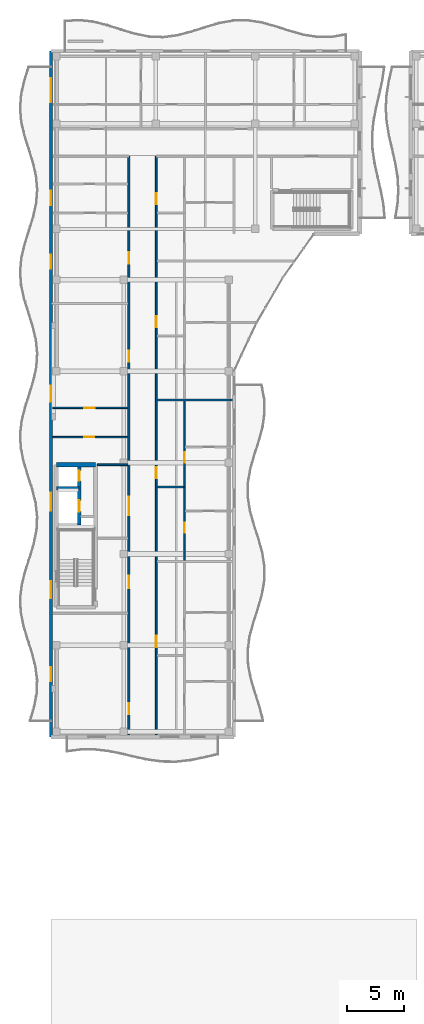
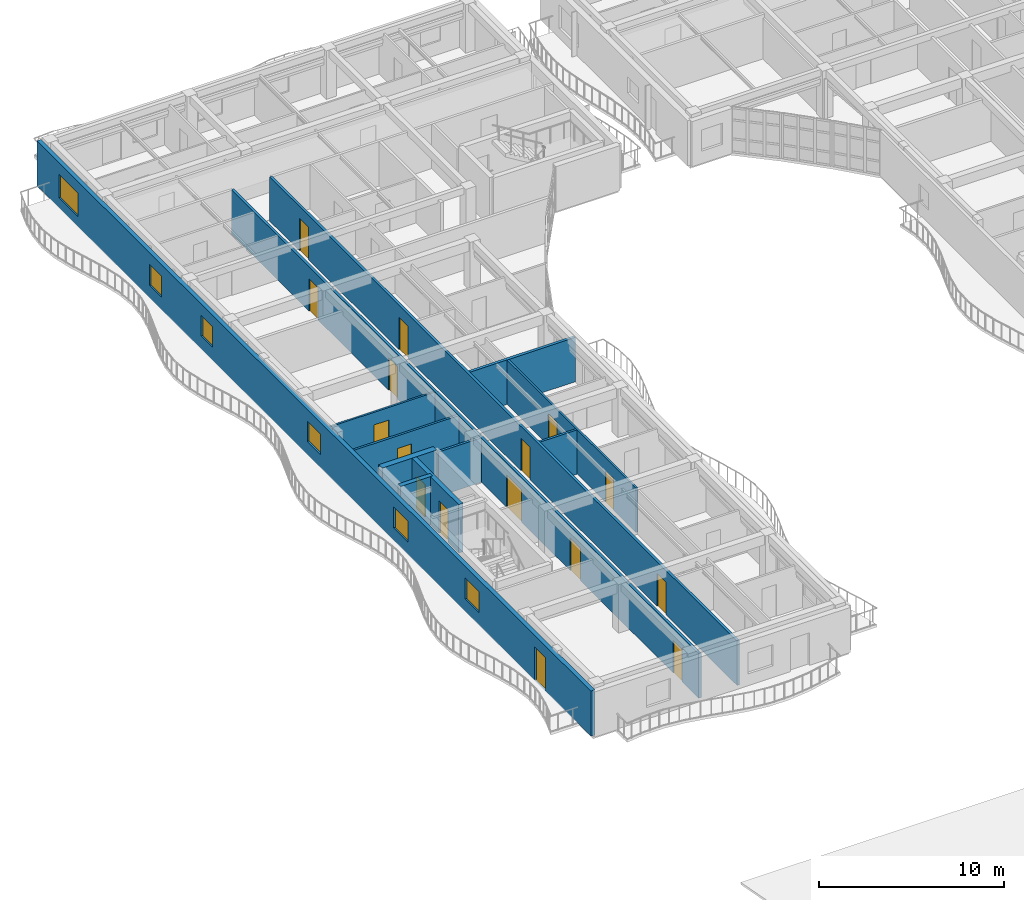
# One storey, part 49 of 89: 16 doors, 12 walls, 6 windows, 22 openings.
"""IFC4 building model written with IfcOpenShell, lengths in metres."""

from ifc_helpers import new_model, si_unit, direction, frame, frame_2d, origin, place, context, subcontext, project, spatial, rectangle, extrude, material, layer, layer_set, type_object, element, fill, save


model = new_model("IFC4")

# Units and contexts
model_context = context("Model", 3, precision=1e-05, world=origin(), true_north=direction((0.0, 1.0)))
body_context = subcontext(model_context, "Body", "Model", "MODEL_VIEW")
ifc_project = project(units=[si_unit("LENGTHUNIT", "METRE"), si_unit("AREAUNIT", "SQUARE_METRE"), si_unit("VOLUMEUNIT", "CUBIC_METRE"), si_unit("PLANEANGLEUNIT", "RADIAN"), si_unit("MASSUNIT", "GRAM", prefix="KILO")], contexts=[model_context])

# Site, building, storey
site_placement = place(None, origin())
site = spatial("IfcSite", under=ifc_project, at=site_placement, CompositionType="ELEMENT")
building_placement = place(site_placement, origin())
building = spatial("IfcBuilding", under=site, at=building_placement, Name="Keldmere Railside Commons", CompositionType="ELEMENT")
storey_placement = place(building_placement, frame((0.0, 0.0, 7.360107421875)))
storey = spatial("IfcBuildingStorey", under=building, at=storey_placement, Name="L02", CompositionType="ELEMENT", Elevation=7.360107421875)

# Wall
ifc_material_1 = material(Name="Acoustic Gypsum Board Partition", Category="gypsum")
ifc_layer_1 = layer(ifc_material_1, 0.179931640625, Name="Acoustic Demising Partition 180")
ifc_layer_set_1 = layer_set([ifc_layer_1], Name="Acoustic Gypsum Board Partition")
wall_type_1 = type_object("IfcWallType", Name="Acoustic Demising Partition 180", PredefinedType="PARTITIONING", material=ifc_layer_set_1)
wall_1_placement = place(storey_placement, frame((17.280029296875, 85.489990234375, 0.0), z_axis=(0.0, 0.0, 1.0), x_axis=(1.0, 0.0, 0.0)))
element("IfcWall", 1, at=wall_1_placement, inside=storey, type_object=wall_type_1, Name="IW-1 IW-L02-0255", PredefinedType="PARTITIONING", context=body_context, shape_type="SweptSolid", body=[
    extrude(rectangle(XDim=6.590087890625, YDim=0.179931640625, at=frame_2d((3.294921875, 0.0))), origin(), (0.0, 0.0, 1.0), 2.934814453125),
])

# Wall, openings, doors
ifc_layer_2 = layer(ifc_material_1, 0.1201171875, Name="Apartment Interior Partition 120")
ifc_layer_set_2 = layer_set([ifc_layer_2], Name="Acoustic Gypsum Board Partition")
wall_type_2 = type_object("IfcWallType", Name="Apartment Interior Partition 120", PredefinedType="PARTITIONING", material=ifc_layer_set_2)
wall_2_placement = place(storey_placement, frame((19.659912109375, 71.429931640625, 0.0), z_axis=(0.0, 0.0, 1.0), x_axis=(0.0, 1.0, 0.0)))
wall_2 = element("IfcWall", 2, at=wall_2_placement, inside=storey, type_object=wall_type_2, Name="IW-4 IW-L02-0261", PredefinedType="PARTITIONING", context=body_context, shape_type="SweptSolid", body=[
    extrude(rectangle(XDim=13.969970703125, YDim=0.1201171875, at=frame_2d((6.98486328125, 0.0))), origin(), (0.0, 0.0, 1.0), 2.934814453125),
])
opening_1_placement = place(wall_2_placement, frame((2.443359375, 0.0, 0.0)))
opening_1 = element("IfcOpeningElement", 3, at=opening_1_placement, cuts=wall_2, Name="Opening ID-04", PredefinedType="OPENING", context=body_context, shape_type="SweptSolid", body=[
    extrude(rectangle(XDim=0.860107421875, YDim=2.10009765625, at=frame_2d((0.43017578125, 1.050048828125))), frame((0.0, 0.070068359375, 0.0), z_axis=(0.0, -1.0, 0.0), x_axis=(1.0, 0.0, 0.0)), (0.0, 0.0, 1.0), 0.14013671875),
])
opening_2_placement = place(wall_2_placement, frame((8.541259765625, 0.0, 0.0)))
opening_2 = element("IfcOpeningElement", 4, at=opening_2_placement, cuts=wall_2, Name="Opening ID-03", PredefinedType="OPENING", context=body_context, shape_type="SweptSolid", body=[
    extrude(rectangle(XDim=0.919921875, YDim=2.10009765625, at=frame_2d((0.4599609375, 1.050048828125))), frame((0.0, 0.070068359375, 0.0), z_axis=(0.0, -1.0, 0.0), x_axis=(1.0, 0.0, 0.0)), (0.0, 0.0, 1.0), 0.14013671875),
])
ifc_material_2 = material(Name="Engineered Oak Timber", Category="wood")
door_type_1 = type_object("IfcDoorType", Name="Apartment Bathroom Door 860x2100", OperationType="NOTDEFINED", PredefinedType="DOOR", material=ifc_material_2)
door_1_placement = place(opening_1_placement, origin())
door_1 = element("IfcDoor", 5, at=door_1_placement, inside=storey, type_object=door_type_1, Name="ID-04 IDR-L02-0165", OperationType="SINGLE_SWING_LEFT", OverallHeight=2.10009765625, OverallWidth=0.860107421875, PredefinedType="DOOR", context=body_context, shape_type="SweptSolid", body=[
    extrude(rectangle(XDim=0.860107421875, YDim=2.10009765625, at=frame_2d((0.43017578125, 1.050048828125))), frame((0.0, 0.02490234375, 0.0), z_axis=(0.0, -1.0, 0.0), x_axis=(1.0, 0.0, 0.0)), (0.0, 0.0, 1.0), 0.050048828125),
])
fill(opening_1, door_1)
door_type_2 = type_object("IfcDoorType", Name="Kitchen Pocket-Frame Swing Door 920x2100", OperationType="NOTDEFINED", PredefinedType="DOOR", material=ifc_material_2)
door_2_placement = place(opening_2_placement, origin())
door_2 = element("IfcDoor", 6, at=door_2_placement, inside=storey, type_object=door_type_2, Name="ID-03 IDR-L02-0166", OperationType="SINGLE_SWING_RIGHT", OverallHeight=2.10009765625, OverallWidth=0.919921875, PredefinedType="DOOR", context=body_context, shape_type="SweptSolid", body=[
    extrude(rectangle(XDim=0.919921875, YDim=2.10009765625, at=frame_2d((0.4599609375, 1.050048828125))), frame((0.0, 0.02490234375, 0.0), z_axis=(0.0, -1.0, 0.0), x_axis=(1.0, 0.0, 0.0)), (0.0, 0.0, 1.0), 0.050048828125),
])
fill(opening_2, door_2)

# Wall, opening, door
wall_3_placement = place(storey_placement, frame((8.1298828125, 84.780029296875, 0.0), z_axis=(0.0, 0.0, 1.0), x_axis=(1.0, 0.0, 0.0)))
wall_3 = element("IfcWall", 7, at=wall_3_placement, inside=storey, type_object=wall_type_2, Name="IW-4 IW-L02-0280", PredefinedType="PARTITIONING", context=body_context, shape_type="SweptSolid", body=[
    extrude(rectangle(XDim=6.590087890625, YDim=0.1201171875, at=frame_2d((3.294921875, 0.0))), origin(), (0.0, 0.0, 1.0), 2.934814453125),
])
opening_3_placement = place(wall_3_placement, frame((2.767822265625, 0.0, 0.0)))
opening_3 = element("IfcOpeningElement", 8, at=opening_3_placement, cuts=wall_3, Name="Opening ID-03", PredefinedType="OPENING", context=body_context, shape_type="SweptSolid", body=[
    extrude(rectangle(XDim=0.919921875, YDim=2.10009765625, at=frame_2d((0.4599609375, 1.050048828125))), frame((0.0, 0.070068359375, 0.0), z_axis=(0.0, -1.0, 0.0), x_axis=(1.0, 0.0, 0.0)), (0.0, 0.0, 1.0), 0.14013671875),
])
door_3_placement = place(opening_3_placement, origin())
door_3 = element("IfcDoor", 9, at=door_3_placement, inside=storey, type_object=door_type_2, Name="ID-03 IDR-L02-0190", OperationType="SINGLE_SWING_RIGHT", OverallHeight=2.10009765625, OverallWidth=0.919921875, PredefinedType="DOOR", context=body_context, shape_type="SweptSolid", body=[
    extrude(rectangle(XDim=0.919921875, YDim=2.10009765625, at=frame_2d((0.4599609375, 1.050048828125))), frame((0.0, 0.02490234375, 0.0), z_axis=(0.0, -1.0, 0.0), x_axis=(1.0, 0.0, 0.0)), (0.0, 0.0, 1.0), 0.050048828125),
])
fill(opening_3, door_3)

# Wall
ifc_material_3 = material(Name="Concrete H-35 (C35/45)", Category="concrete")
ifc_layer_3 = layer(ifc_material_3, 0.280029296875, Name="Core Shear Wall 280")
ifc_layer_set_3 = layer_set([ifc_layer_3], Name="Concrete H-35 (C35/45)")
wall_type_3 = type_object("IfcWallType", Name="Core Shear Wall 280", PredefinedType="SHEAR", material=ifc_layer_set_3)
wall_4_placement = place(storey_placement, frame((8.4599609375, 77.75, 0.0), z_axis=(0.0, 0.0, 1.0), x_axis=(1.0, 0.0, 0.0)))
element("IfcWall", 10, at=wall_4_placement, inside=storey, type_object=wall_type_3, Name="CSW-2 COREDL-L02-0056", PredefinedType="SHEAR", context=body_context, shape_type="SweptSolid", body=[
    extrude(rectangle(XDim=2.0, YDim=0.280029296875, at=frame_2d((1.0, 0.0))), origin(), (0.0, 0.0, 1.0), 3.199951171875),
])

# Wall, openings, doors
wall_5_placement = place(storey_placement, frame((10.4599609375, 74.550048828125, 0.0), z_axis=(0.0, 0.0, 1.0), x_axis=(0.0, 1.0, 0.0)))
wall_5 = element("IfcWall", 11, at=wall_5_placement, inside=storey, type_object=wall_type_3, Name="CSW-2 LSHD-L02-0057", PredefinedType="SHEAR", context=body_context, shape_type="SweptSolid", body=[
    extrude(rectangle(XDim=5.25, YDim=0.280029296875, at=frame_2d((2.625, 0.0))), origin(), (0.0, 0.0, 1.0), 3.199951171875),
])
opening_4_placement = place(wall_5_placement, frame((1.14990234375, 0.0, 0.0)))
opening_4 = element("IfcOpeningElement", 12, at=opening_4_placement, cuts=wall_5, Name="Opening LD-1", PredefinedType="OPENING", context=body_context, shape_type="SweptSolid", body=[
    extrude(rectangle(XDim=1.0, YDim=2.14990234375, at=frame_2d((0.5, 1.074951171875))), frame((0.0, 0.14990234375, 0.0), z_axis=(0.0, -1.0, 0.0), x_axis=(1.0, 0.0, 0.0)), (0.0, 0.0, 1.0), 0.300048828125),
])
opening_5_placement = place(wall_5_placement, frame((3.85009765625, 0.0, 0.0)))
opening_5 = element("IfcOpeningElement", 13, at=opening_5_placement, cuts=wall_5, Name="Opening LD-2", PredefinedType="OPENING", context=body_context, shape_type="SweptSolid", body=[
    extrude(rectangle(XDim=0.89990234375, YDim=2.14990234375, at=frame_2d((0.449951171875, 1.074951171875))), frame((0.0, 0.14990234375, 0.0), z_axis=(0.0, -1.0, 0.0), x_axis=(1.0, 0.0, 0.0)), (0.0, 0.0, 1.0), 0.300048828125),
])
ifc_material_4 = material(Name="Steel F-24 (S235)", Category="steel")
door_type_3 = type_object("IfcDoorType", Name="Firefighting Stretcher Lift Landing Door 1000x2150", OperationType="SLIDING_TO_LEFT", PredefinedType="DOOR", material=ifc_material_4)
door_4_placement = place(opening_4_placement, origin())
door_4 = element("IfcDoor", 14, at=door_4_placement, inside=storey, type_object=door_type_3, Name="LD-1 D L02", OperationType="SLIDING_TO_LEFT", OverallHeight=2.14990234375, OverallWidth=1.0, PredefinedType="DOOR", context=body_context, shape_type="SweptSolid", body=[
    extrude(rectangle(XDim=1.0, YDim=2.14990234375, at=frame_2d((0.5, 1.074951171875))), frame((0.0, 0.02490234375, 0.0), z_axis=(0.0, -1.0, 0.0), x_axis=(1.0, 0.0, 0.0)), (0.0, 0.0, 1.0), 0.050048828125),
])
fill(opening_4, door_4)
door_type_4 = type_object("IfcDoorType", Name="Passenger Lift Sliding Landing Door 900x2150", OperationType="SLIDING_TO_RIGHT", PredefinedType="DOOR", material=ifc_material_4)
door_5_placement = place(opening_5_placement, origin())
door_5 = element("IfcDoor", 15, at=door_5_placement, inside=storey, type_object=door_type_4, Name="LD-2 D L02", OperationType="SLIDING_TO_RIGHT", OverallHeight=2.14990234375, OverallWidth=0.89990234375, PredefinedType="DOOR", context=body_context, shape_type="SweptSolid", body=[
    extrude(rectangle(XDim=0.89990234375, YDim=2.14990234375, at=frame_2d((0.449951171875, 1.074951171875))), frame((0.0, 0.02490234375, 0.0), z_axis=(0.0, -1.0, 0.0), x_axis=(1.0, 0.0, 0.0)), (0.0, 0.0, 1.0), 0.050048828125),
])
fill(opening_5, door_5)

# Wall
ifc_material_5 = material(Name="Concrete H-40 (C40/50)", Category="concrete")
ifc_layer_4 = layer(ifc_material_5, 0.3798828125, Name="Core Shear Wall 380")
ifc_layer_set_4 = layer_set([ifc_layer_4], Name="Concrete H-40 (C40/50)")
wall_type_4 = type_object("IfcWallType", Name="Core Shear Wall 380", PredefinedType="SHEAR", material=ifc_layer_set_4)
wall_6_placement = place(storey_placement, frame((8.4599609375, 79.800048828125, 0.0), z_axis=(0.0, 0.0, 1.0), x_axis=(1.0, 0.0, 0.0)))
element("IfcWall", 16, at=wall_6_placement, inside=storey, type_object=wall_type_4, Name="CW-CORE COREDN-L02-0052", PredefinedType="SHEAR", context=body_context, shape_type="SweptSolid", body=[
    extrude(rectangle(XDim=3.41015625, YDim=0.3798828125, at=frame_2d((1.705078125, 0.0))), origin(), (0.0, 0.0, 1.0), 3.199951171875),
])

# Wall, openings, doors
ifc_layer_5 = layer(ifc_material_1, 0.159912109375, Name="Corridor Fire Partition 160")
ifc_layer_set_5 = layer_set([ifc_layer_5], Name="Acoustic Gypsum Board Partition")
wall_type_5 = type_object("IfcWallType", Name="Corridor Fire Partition 160", PredefinedType="PARTITIONING", material=ifc_layer_set_5)
wall_7_placement = place(storey_placement, frame((14.800048828125, 56.179931640625, 0.0), z_axis=(0.0, 0.0, 1.0), x_axis=(0.0, 1.0, 0.0)))
wall_7 = element("IfcWall", 17, at=wall_7_placement, inside=storey, type_object=wall_type_5, Name="IW-2 IW-L02-0246", PredefinedType="PARTITIONING", context=body_context, shape_type="SweptSolid", body=[
    extrude(rectangle(XDim=50.6201171875, YDim=0.159912109375, at=frame_2d((25.31005859375, 0.0))), origin(), (0.0, 0.0, 1.0), 2.934814453125),
])
opening_6_placement = place(wall_7_placement, frame((12.820068359375, 0.0, 0.0)))
opening_6 = element("IfcOpeningElement", 18, at=opening_6_placement, cuts=wall_7, Name="Opening FD-2", PredefinedType="OPENING", context=body_context, shape_type="SweptSolid", body=[
    extrude(rectangle(XDim=1.10009765625, YDim=2.14990234375, at=frame_2d((0.550048828125, 1.074951171875))), frame((0.0, 0.08984375, 0.0), z_axis=(0.0, -1.0, 0.0), x_axis=(1.0, 0.0, 0.0)), (0.0, 0.0, 1.0), 0.179931640625),
])
opening_7_placement = place(wall_7_placement, frame((19.219970703125, 0.0, 0.0)))
opening_7 = element("IfcOpeningElement", 19, at=opening_7_placement, cuts=wall_7, Name="Opening FD-4", PredefinedType="OPENING", context=body_context, shape_type="SweptSolid", body=[
    extrude(rectangle(XDim=1.60009765625, YDim=2.14990234375, at=frame_2d((0.800048828125, 1.074951171875))), frame((0.0, 0.08984375, 0.0), z_axis=(0.0, -1.0, 0.0), x_axis=(1.0, 0.0, 0.0)), (0.0, 0.0, 1.0), 0.179931640625),
])
opening_8_placement = place(wall_7_placement, frame((1.800048828125, 0.0, 0.0)))
opening_8 = element("IfcOpeningElement", 20, at=opening_8_placement, cuts=wall_7, Name="Opening ID-08", PredefinedType="OPENING", context=body_context, shape_type="SweptSolid", body=[
    extrude(rectangle(XDim=0.9599609375, YDim=2.14990234375, at=frame_2d((0.47998046875, 1.074951171875))), frame((0.0, 0.08984375, 0.0), z_axis=(0.0, -1.0, 0.0), x_axis=(1.0, 0.0, 0.0)), (0.0, 0.0, 1.0), 0.179931640625),
])
opening_9_placement = place(wall_7_placement, frame((32.625, 0.0, 0.0)))
opening_9 = element("IfcOpeningElement", 21, at=opening_9_placement, cuts=wall_7, Name="Opening FD-7", PredefinedType="OPENING", context=body_context, shape_type="SweptSolid", body=[
    extrude(rectangle(XDim=0.97998046875, YDim=2.14990234375, at=frame_2d((0.489990234375, 1.074951171875))), frame((0.0, 0.08984375, 0.0), z_axis=(0.0, -1.0, 0.0), x_axis=(1.0, 0.0, 0.0)), (0.0, 0.0, 1.0), 0.179931640625),
])
opening_10_placement = place(wall_7_placement, frame((41.235107421875, 0.0, 0.0)))
opening_10 = element("IfcOpeningElement", 22, at=opening_10_placement, cuts=wall_7, Name="Opening FD-7", PredefinedType="OPENING", context=body_context, shape_type="SweptSolid", body=[
    extrude(rectangle(XDim=0.97998046875, YDim=2.14990234375, at=frame_2d((0.489990234375, 1.074951171875))), frame((0.0, 0.08984375, 0.0), z_axis=(0.0, -1.0, 0.0), x_axis=(1.0, 0.0, 0.0)), (0.0, 0.0, 1.0), 0.179931640625),
])
door_type_5 = type_object("IfcDoorType", Name="Apartment Entrance Acoustic Fire Door 980x2150", OperationType="NOTDEFINED", PredefinedType="DOOR", material=ifc_material_2)
door_6_placement = place(opening_9_placement, origin())
door_6 = element("IfcDoor", 23, at=door_6_placement, inside=storey, type_object=door_type_5, Name="FD-7 IDR-L02-0191", OperationType="SINGLE_SWING_LEFT", OverallHeight=2.14990234375, OverallWidth=0.97998046875, PredefinedType="DOOR", context=body_context, shape_type="SweptSolid", body=[
    extrude(rectangle(XDim=0.97998046875, YDim=2.14990234375, at=frame_2d((0.489990234375, 1.074951171875))), frame((0.0, 0.02490234375, 0.0), z_axis=(0.0, -1.0, 0.0), x_axis=(1.0, 0.0, 0.0)), (0.0, 0.0, 1.0), 0.050048828125),
])
fill(opening_9, door_6)
door_7_placement = place(opening_10_placement, origin())
door_7 = element("IfcDoor", 24, at=door_7_placement, inside=storey, type_object=door_type_5, Name="FD-7 IDR-L02-0194", OperationType="SINGLE_SWING_RIGHT", OverallHeight=2.14990234375, OverallWidth=0.97998046875, PredefinedType="DOOR", context=body_context, shape_type="SweptSolid", body=[
    extrude(rectangle(XDim=0.97998046875, YDim=2.14990234375, at=frame_2d((0.489990234375, 1.074951171875))), frame((0.0, 0.02490234375, 0.0), z_axis=(0.0, -1.0, 0.0), x_axis=(1.0, 0.0, 0.0)), (0.0, 0.0, 1.0), 0.050048828125),
])
fill(opening_10, door_7)
door_type_6 = type_object("IfcDoorType", Name="Corridor Cross-Compartment Double Fire Door 1600x2150", OperationType="DOUBLE_DOOR_SINGLE_SWING", PredefinedType="DOOR", material=ifc_material_4)
door_8_placement = place(opening_7_placement, origin())
door_8 = element("IfcDoor", 25, at=door_8_placement, inside=storey, type_object=door_type_6, Name="FD-4 IDR-L02-0159", OperationType="DOUBLE_DOOR_SINGLE_SWING", OverallHeight=2.14990234375, OverallWidth=1.60009765625, PredefinedType="DOOR", context=body_context, shape_type="SweptSolid", body=[
    extrude(rectangle(XDim=1.60009765625, YDim=2.14990234375, at=frame_2d((0.800048828125, 1.074951171875))), frame((0.0, 0.02490234375, 0.0), z_axis=(0.0, -1.0, 0.0), x_axis=(1.0, 0.0, 0.0)), (0.0, 0.0, 1.0), 0.050048828125),
])
fill(opening_7, door_8)
door_type_7 = type_object("IfcDoorType", Name="Firefighting Lobby Fire Door 1100x2150", OperationType="NOTDEFINED", PredefinedType="DOOR", material=ifc_material_4)
door_9_placement = place(opening_6_placement, origin())
door_9 = element("IfcDoor", 26, at=door_9_placement, inside=storey, type_object=door_type_7, Name="FD-2 IDR-L02-0158", OperationType="SINGLE_SWING_RIGHT", OverallHeight=2.14990234375, OverallWidth=1.10009765625, PredefinedType="DOOR", context=body_context, shape_type="SweptSolid", body=[
    extrude(rectangle(XDim=1.10009765625, YDim=2.14990234375, at=frame_2d((0.550048828125, 1.074951171875))), frame((0.0, 0.02490234375, 0.0), z_axis=(0.0, -1.0, 0.0), x_axis=(1.0, 0.0, 0.0)), (0.0, 0.0, 1.0), 0.050048828125),
])
fill(opening_6, door_9)
door_type_8 = type_object("IfcDoorType", Name="Study & Meeting Room Door 960x2150", OperationType="NOTDEFINED", PredefinedType="DOOR", material=ifc_material_2)
door_10_placement = place(opening_8_placement, origin())
door_10 = element("IfcDoor", 27, at=door_10_placement, inside=storey, type_object=door_type_8, Name="ID-08 IDR-L02-0188", OperationType="SINGLE_SWING_RIGHT", OverallHeight=2.14990234375, OverallWidth=0.9599609375, PredefinedType="DOOR", context=body_context, shape_type="SweptSolid", body=[
    extrude(rectangle(XDim=0.9599609375, YDim=2.14990234375, at=frame_2d((0.47998046875, 1.074951171875))), frame((0.0, 0.02490234375, 0.0), z_axis=(0.0, -1.0, 0.0), x_axis=(1.0, 0.0, 0.0)), (0.0, 0.0, 1.0), 0.050048828125),
])
fill(opening_8, door_10)

wall_8_placement = place(storey_placement, frame((17.199951171875, 56.179931640625, 0.0), z_axis=(0.0, 0.0, 1.0), x_axis=(0.0, 1.0, 0.0)))
wall_8 = element("IfcWall", 28, at=wall_8_placement, inside=storey, type_object=wall_type_5, Name="IW-2 IW-L02-0247", PredefinedType="PARTITIONING", context=body_context, shape_type="SweptSolid", body=[
    extrude(rectangle(XDim=50.6201171875, YDim=0.159912109375, at=frame_2d((25.31005859375, 0.0))), origin(), (0.0, 0.0, 1.0), 2.934814453125),
])
opening_11_placement = place(wall_8_placement, frame((7.679931640625, 0.0, 0.0)))
opening_11 = element("IfcOpeningElement", 29, at=opening_11_placement, cuts=wall_8, Name="Opening FD-7", PredefinedType="OPENING", context=body_context, shape_type="SweptSolid", body=[
    extrude(rectangle(XDim=0.97998046875, YDim=2.14990234375, at=frame_2d((0.489990234375, 1.074951171875))), frame((0.0, 0.08984375, 0.0), z_axis=(0.0, -1.0, 0.0), x_axis=(1.0, 0.0, 0.0)), (0.0, 0.0, 1.0), 0.179931640625),
])
opening_12_placement = place(wall_8_placement, frame((22.429931640625, 0.0, 0.0)))
opening_12 = element("IfcOpeningElement", 30, at=opening_12_placement, cuts=wall_8, Name="Opening FD-7", PredefinedType="OPENING", context=body_context, shape_type="SweptSolid", body=[
    extrude(rectangle(XDim=0.97998046875, YDim=2.14990234375, at=frame_2d((0.489990234375, 1.074951171875))), frame((0.0, 0.08984375, 0.0), z_axis=(0.0, -1.0, 0.0), x_axis=(1.0, 0.0, 0.0)), (0.0, 0.0, 1.0), 0.179931640625),
])
opening_13_placement = place(wall_8_placement, frame((35.64990234375, 0.0, 0.0)))
opening_13 = element("IfcOpeningElement", 31, at=opening_13_placement, cuts=wall_8, Name="Opening FD-7", PredefinedType="OPENING", context=body_context, shape_type="SweptSolid", body=[
    extrude(rectangle(XDim=0.97998046875, YDim=2.14990234375, at=frame_2d((0.489990234375, 1.074951171875))), frame((0.0, 0.08984375, 0.0), z_axis=(0.0, -1.0, 0.0), x_axis=(1.0, 0.0, 0.0)), (0.0, 0.0, 1.0), 0.179931640625),
])
opening_14_placement = place(wall_8_placement, frame((46.419921875, 0.0, 0.0)))
opening_14 = element("IfcOpeningElement", 32, at=opening_14_placement, cuts=wall_8, Name="Opening FD-7", PredefinedType="OPENING", context=body_context, shape_type="SweptSolid", body=[
    extrude(rectangle(XDim=0.97998046875, YDim=2.14990234375, at=frame_2d((0.489990234375, 1.074951171875))), frame((0.0, 0.08984375, 0.0), z_axis=(0.0, -1.0, 0.0), x_axis=(1.0, 0.0, 0.0)), (0.0, 0.0, 1.0), 0.179931640625),
])
door_11_placement = place(opening_11_placement, origin())
door_11 = element("IfcDoor", 33, at=door_11_placement, inside=storey, type_object=door_type_5, Name="FD-7 IDR-L02-0162", OperationType="SINGLE_SWING_RIGHT", OverallHeight=2.14990234375, OverallWidth=0.97998046875, PredefinedType="DOOR", context=body_context, shape_type="SweptSolid", body=[
    extrude(rectangle(XDim=0.97998046875, YDim=2.14990234375, at=frame_2d((0.489990234375, 1.074951171875))), frame((0.0, 0.02490234375, 0.0), z_axis=(0.0, -1.0, 0.0), x_axis=(1.0, 0.0, 0.0)), (0.0, 0.0, 1.0), 0.050048828125),
])
fill(opening_11, door_11)
door_12_placement = place(opening_12_placement, origin())
door_12 = element("IfcDoor", 34, at=door_12_placement, inside=storey, type_object=door_type_5, Name="FD-7 IDR-L02-0167", OperationType="SINGLE_SWING_LEFT", OverallHeight=2.14990234375, OverallWidth=0.97998046875, PredefinedType="DOOR", context=body_context, shape_type="SweptSolid", body=[
    extrude(rectangle(XDim=0.97998046875, YDim=2.14990234375, at=frame_2d((0.489990234375, 1.074951171875))), frame((0.0, 0.02490234375, 0.0), z_axis=(0.0, -1.0, 0.0), x_axis=(1.0, 0.0, 0.0)), (0.0, 0.0, 1.0), 0.050048828125),
])
fill(opening_12, door_12)
door_13_placement = place(opening_13_placement, origin())
door_13 = element("IfcDoor", 35, at=door_13_placement, inside=storey, type_object=door_type_5, Name="FD-7 IDR-L02-0172", OperationType="SINGLE_SWING_RIGHT", OverallHeight=2.14990234375, OverallWidth=0.97998046875, PredefinedType="DOOR", context=body_context, shape_type="SweptSolid", body=[
    extrude(rectangle(XDim=0.97998046875, YDim=2.14990234375, at=frame_2d((0.489990234375, 1.074951171875))), frame((0.0, 0.02490234375, 0.0), z_axis=(0.0, -1.0, 0.0), x_axis=(1.0, 0.0, 0.0)), (0.0, 0.0, 1.0), 0.050048828125),
])
fill(opening_13, door_13)
door_14_placement = place(opening_14_placement, origin())
door_14 = element("IfcDoor", 36, at=door_14_placement, inside=storey, type_object=door_type_5, Name="FD-7 IDR-L02-0176", OperationType="SINGLE_SWING_RIGHT", OverallHeight=2.14990234375, OverallWidth=0.97998046875, PredefinedType="DOOR", context=body_context, shape_type="SweptSolid", body=[
    extrude(rectangle(XDim=0.97998046875, YDim=2.14990234375, at=frame_2d((0.489990234375, 1.074951171875))), frame((0.0, 0.02490234375, 0.0), z_axis=(0.0, -1.0, 0.0), x_axis=(1.0, 0.0, 0.0)), (0.0, 0.0, 1.0), 0.050048828125),
])
fill(opening_14, door_14)

# Wall
ifc_layer_6 = layer(ifc_material_1, 0.14990234375, Name="Lobby Rated Partition 150")
ifc_layer_set_6 = layer_set([ifc_layer_6], Name="Acoustic Gypsum Board Partition")
wall_type_6 = type_object("IfcWallType", Name="Lobby Rated Partition 150", PredefinedType="PARTITIONING", material=ifc_layer_set_6)
wall_9_placement = place(storey_placement, frame((12.0400390625, 79.800048828125, 0.0), z_axis=(0.0, 0.0, 1.0), x_axis=(1.0, 0.0, 0.0)))
element("IfcWall", 37, at=wall_9_placement, inside=storey, type_object=wall_type_6, Name="IW-3 IW-L02-0245", PredefinedType="PARTITIONING", context=body_context, shape_type="SweptSolid", body=[
    extrude(rectangle(XDim=2.679931640625, YDim=0.14990234375, at=frame_2d((1.33984375, 0.0))), origin(), (0.0, 0.0, 1.0), 2.934814453125),
])

# Wall, openings, door, windows
ifc_material_6 = material(Name="Terracotta Brick Masonry", Category="masonry")
ifc_layer_7 = layer(ifc_material_6, 0.260009765625, Name="Terracotta Cavity Wall 260")
ifc_layer_set_7 = layer_set([ifc_layer_7], Name="Terracotta Brick Masonry")
wall_type_7 = type_object("IfcWallType", Name="Terracotta Cavity Wall 260", PredefinedType="SOLIDWALL", material=ifc_layer_set_7)
wall_10_placement = place(storey_placement, frame((8.0, 56.0, 0.0), z_axis=(0.0, 0.0, 1.0), x_axis=(0.0, 1.0, 0.0)))
wall_10 = element("IfcWall", 38, at=wall_10_placement, inside=storey, type_object=wall_type_7, Name="EW-1 EXTD-L02-0141", PredefinedType="SOLIDWALL", context=body_context, shape_type="SweptSolid", body=[
    extrude(rectangle(XDim=60.0, YDim=0.260009765625, at=frame_2d((30.0, 0.0))), origin(), (0.0, 0.0, 1.0), 2.97998046875),
])
opening_15_placement = place(wall_10_placement, frame((4.8857421875, 0.0, 0.0)))
opening_15 = element("IfcOpeningElement", 39, at=opening_15_placement, cuts=wall_10, Name="Opening BD-01", PredefinedType="OPENING", context=body_context, shape_type="SweptSolid", body=[
    extrude(rectangle(XDim=1.199951171875, YDim=2.199951171875, at=frame_2d((0.60009765625, 1.10009765625))), frame((0.0, 0.139892578125, 0.0), z_axis=(0.0, -1.0, 0.0), x_axis=(1.0, 0.0, 0.0)), (0.0, 0.0, 1.0), 0.280029296875),
])
opening_16_placement = place(wall_10_placement, frame((12.107177734375, 0.0, 0.820068359375)))
opening_16 = element("IfcOpeningElement", 40, at=opening_16_placement, cuts=wall_10, Name="Opening WN-06", PredefinedType="OPENING", context=body_context, shape_type="SweptSolid", body=[
    extrude(rectangle(XDim=1.5, YDim=1.39990234375, at=frame_2d((0.75, 0.699951171875))), frame((0.0, 0.139892578125, 0.0), z_axis=(0.0, -1.0, 0.0), x_axis=(1.0, 0.0, 0.0)), (0.0, 0.0, 1.0), 0.280029296875),
])
opening_17_placement = place(wall_10_placement, frame((19.8037109375, 0.0, 0.820068359375)))
opening_17 = element("IfcOpeningElement", 41, at=opening_17_placement, cuts=wall_10, Name="Opening WN-07", PredefinedType="OPENING", context=body_context, shape_type="SweptSolid", body=[
    extrude(rectangle(XDim=1.550048828125, YDim=1.39990234375, at=frame_2d((0.77490234375, 0.699951171875))), frame((0.0, 0.139892578125, 0.0), z_axis=(0.0, -1.0, 0.0), x_axis=(1.0, 0.0, 0.0)), (0.0, 0.0, 1.0), 0.280029296875),
])
opening_18_placement = place(wall_10_placement, frame((29.300048828125, 0.0, 0.8701171875)))
opening_18 = element("IfcOpeningElement", 42, at=opening_18_placement, cuts=wall_10, Name="Opening WN-08", PredefinedType="OPENING", context=body_context, shape_type="SweptSolid", body=[
    extrude(rectangle(XDim=1.39990234375, YDim=1.35009765625, at=frame_2d((0.699951171875, 0.675048828125))), frame((0.0, 0.139892578125, 0.0), z_axis=(0.0, -1.0, 0.0), x_axis=(1.0, 0.0, 0.0)), (0.0, 0.0, 1.0), 0.280029296875),
])
opening_19_placement = place(wall_10_placement, frame((40.9462890625, 0.0, 0.8701171875)))
opening_19 = element("IfcOpeningElement", 43, at=opening_19_placement, cuts=wall_10, Name="Opening WN-09", PredefinedType="OPENING", context=body_context, shape_type="SweptSolid", body=[
    extrude(rectangle(XDim=1.25, YDim=1.35009765625, at=frame_2d((0.625, 0.675048828125))), frame((0.0, 0.139892578125, 0.0), z_axis=(0.0, -1.0, 0.0), x_axis=(1.0, 0.0, 0.0)), (0.0, 0.0, 1.0), 0.280029296875),
])
opening_20_placement = place(wall_10_placement, frame((46.492919921875, 0.0, 0.820068359375)))
opening_20 = element("IfcOpeningElement", 44, at=opening_20_placement, cuts=wall_10, Name="Opening WN-10", PredefinedType="OPENING", context=body_context, shape_type="SweptSolid", body=[
    extrude(rectangle(XDim=1.300048828125, YDim=1.39990234375, at=frame_2d((0.64990234375, 0.699951171875))), frame((0.0, 0.139892578125, 0.0), z_axis=(0.0, -1.0, 0.0), x_axis=(1.0, 0.0, 0.0)), (0.0, 0.0, 1.0), 0.280029296875),
])
opening_21_placement = place(wall_10_placement, frame((55.514404296875, 0.0, 0.669921875)))
opening_21 = element("IfcOpeningElement", 45, at=opening_21_placement, cuts=wall_10, Name="Opening WN-11", PredefinedType="OPENING", context=body_context, shape_type="SweptSolid", body=[
    extrude(rectangle(XDim=2.10009765625, YDim=1.550048828125, at=frame_2d((1.050048828125, 0.77490234375))), frame((0.0, 0.139892578125, 0.0), z_axis=(0.0, -1.0, 0.0), x_axis=(1.0, 0.0, 0.0)), (0.0, 0.0, 1.0), 0.280029296875),
])
ifc_material_7 = material(Name="Thermally Broken Aluminium", Category="aluminium")
door_type_9 = type_object("IfcDoorType", Name="Apartment Living Wave-Balcony Glazed Door 1200x2200", OperationType="NOTDEFINED", PredefinedType="DOOR", material=ifc_material_7)
door_15_placement = place(opening_15_placement, origin())
door_15 = element("IfcDoor", 46, at=door_15_placement, inside=storey, type_object=door_type_9, Name="BD-01 DR-L02-0018", OperationType="SINGLE_SWING_RIGHT", OverallHeight=2.199951171875, OverallWidth=1.199951171875, PredefinedType="DOOR", context=body_context, shape_type="SweptSolid", body=[
    extrude(rectangle(XDim=1.199951171875, YDim=2.199951171875, at=frame_2d((0.60009765625, 1.10009765625))), frame((0.0, 0.02490234375, 0.0), z_axis=(0.0, -1.0, 0.0), x_axis=(1.0, 0.0, 0.0)), (0.0, 0.0, 1.0), 0.050048828125),
])
fill(opening_15, door_15)
ifc_material_8 = material(Name="Low-E Insulated Double Glazing", Category="glass")
window_type_1 = type_object("IfcWindowType", Name="Primary Bedroom East/West Window 1400x1350", PartitioningType="SINGLE_PANEL", PredefinedType="WINDOW", material=ifc_material_8)
window_1_placement = place(opening_18_placement, origin())
window_1 = element("IfcWindow", 47, at=window_1_placement, inside=storey, type_object=window_type_1, Name="WN-08 WIN-L02-0060", OverallHeight=1.35009765625, OverallWidth=1.39990234375, PartitioningType="SINGLE_PANEL", PredefinedType="WINDOW", context=body_context, shape_type="SweptSolid", body=[
    extrude(rectangle(XDim=1.39990234375, YDim=1.35009765625, at=frame_2d((0.699951171875, 0.675048828125))), frame((0.0, 0.030029296875, 0.0), z_axis=(0.0, -1.0, 0.0), x_axis=(1.0, 0.0, 0.0)), (0.0, 0.0, 1.0), 0.06005859375),
])
fill(opening_18, window_1)
window_type_2 = type_object("IfcWindowType", Name="Primary Bedroom North Window 1500x1400", PartitioningType="SINGLE_PANEL", PredefinedType="WINDOW", material=ifc_material_8)
window_2_placement = place(opening_16_placement, origin())
window_2 = element("IfcWindow", 48, at=window_2_placement, inside=storey, type_object=window_type_2, Name="WN-06 WIN-L02-0058", OverallHeight=1.39990234375, OverallWidth=1.5, PartitioningType="SINGLE_PANEL", PredefinedType="WINDOW", context=body_context, shape_type="SweptSolid", body=[
    extrude(rectangle(XDim=1.5, YDim=1.39990234375, at=frame_2d((0.75, 0.699951171875))), frame((0.0, 0.030029296875, 0.0), z_axis=(0.0, -1.0, 0.0), x_axis=(1.0, 0.0, 0.0)), (0.0, 0.0, 1.0), 0.06005859375),
])
fill(opening_16, window_2)
window_type_3 = type_object("IfcWindowType", Name="Primary Bedroom South Window 1550x1400", PartitioningType="SINGLE_PANEL", PredefinedType="WINDOW", material=ifc_material_8)
window_3_placement = place(opening_17_placement, origin())
window_3 = element("IfcWindow", 49, at=window_3_placement, inside=storey, type_object=window_type_3, Name="WN-07 WIN-L02-0059", OverallHeight=1.39990234375, OverallWidth=1.550048828125, PartitioningType="SINGLE_PANEL", PredefinedType="WINDOW", context=body_context, shape_type="SweptSolid", body=[
    extrude(rectangle(XDim=1.550048828125, YDim=1.39990234375, at=frame_2d((0.77490234375, 0.699951171875))), frame((0.0, 0.030029296875, 0.0), z_axis=(0.0, -1.0, 0.0), x_axis=(1.0, 0.0, 0.0)), (0.0, 0.0, 1.0), 0.06005859375),
])
fill(opening_17, window_3)
window_type_4 = type_object("IfcWindowType", Name="Secondary Bedroom Court Window 1300x1400", PartitioningType="SINGLE_PANEL", PredefinedType="WINDOW", material=ifc_material_8)
window_4_placement = place(opening_20_placement, origin())
window_4 = element("IfcWindow", 50, at=window_4_placement, inside=storey, type_object=window_type_4, Name="WN-10 WIN-L02-0062", OverallHeight=1.39990234375, OverallWidth=1.300048828125, PartitioningType="SINGLE_PANEL", PredefinedType="WINDOW", context=body_context, shape_type="SweptSolid", body=[
    extrude(rectangle(XDim=1.300048828125, YDim=1.39990234375, at=frame_2d((0.64990234375, 0.699951171875))), frame((0.0, 0.030029296875, 0.0), z_axis=(0.0, -1.0, 0.0), x_axis=(1.0, 0.0, 0.0)), (0.0, 0.0, 1.0), 0.06005859375),
])
fill(opening_20, window_4)
window_type_5 = type_object("IfcWindowType", Name="Secondary Bedroom Window 1250x1350", PartitioningType="SINGLE_PANEL", PredefinedType="WINDOW", material=ifc_material_8)
window_5_placement = place(opening_19_placement, origin())
window_5 = element("IfcWindow", 51, at=window_5_placement, inside=storey, type_object=window_type_5, Name="WN-09 WIN-L02-0061", OverallHeight=1.35009765625, OverallWidth=1.25, PartitioningType="SINGLE_PANEL", PredefinedType="WINDOW", context=body_context, shape_type="SweptSolid", body=[
    extrude(rectangle(XDim=1.25, YDim=1.35009765625, at=frame_2d((0.625, 0.675048828125))), frame((0.0, 0.030029296875, 0.0), z_axis=(0.0, -1.0, 0.0), x_axis=(1.0, 0.0, 0.0)), (0.0, 0.0, 1.0), 0.06005859375),
])
fill(opening_19, window_5)
window_type_6 = type_object("IfcWindowType", Name="Studio Wide Casement Window 2100x1550", PartitioningType="SINGLE_PANEL", PredefinedType="WINDOW", material=ifc_material_8)
window_6_placement = place(opening_21_placement, origin())
window_6 = element("IfcWindow", 52, at=window_6_placement, inside=storey, type_object=window_type_6, Name="WN-11 WIN-L02-0063", OverallHeight=1.550048828125, OverallWidth=2.10009765625, PartitioningType="SINGLE_PANEL", PredefinedType="WINDOW", context=body_context, shape_type="SweptSolid", body=[
    extrude(rectangle(XDim=2.10009765625, YDim=1.550048828125, at=frame_2d((1.050048828125, 0.77490234375))), frame((0.0, 0.030029296875, 0.0), z_axis=(0.0, -1.0, 0.0), x_axis=(1.0, 0.0, 0.0)), (0.0, 0.0, 1.0), 0.06005859375),
])
fill(opening_21, window_6)

# Wall
ifc_layer_8 = layer(ifc_material_1, 0.139892578125, Name="Wet-Room Sanitary Partition 140")
ifc_layer_set_8 = layer_set([ifc_layer_8], Name="Acoustic Gypsum Board Partition")
wall_type_8 = type_object("IfcWallType", Name="Wet-Room Sanitary Partition 140", PredefinedType="PARTITIONING", material=ifc_layer_set_8)
wall_11_placement = place(storey_placement, frame((17.280029296875, 77.860107421875, 0.0), z_axis=(0.0, 0.0, 1.0), x_axis=(1.0, 0.0, 0.0)))
element("IfcWall", 53, at=wall_11_placement, inside=storey, type_object=wall_type_8, Name="IW-5 IW-L02-0262", PredefinedType="PARTITIONING", context=body_context, shape_type="SweptSolid", body=[
    extrude(rectangle(XDim=2.320068359375, YDim=0.139892578125, at=frame_2d((1.16015625, 0.0))), origin(), (0.0, 0.0, 1.0), 2.934814453125),
])

# Wall, opening, door
wall_12_placement = place(storey_placement, frame((8.1298828125, 82.22998046875, 0.0), z_axis=(0.0, 0.0, 1.0), x_axis=(1.0, 0.0, 0.0)))
wall_12 = element("IfcWall", 54, at=wall_12_placement, inside=storey, type_object=wall_type_8, Name="IW-5 IW-L02-0279", PredefinedType="PARTITIONING", context=body_context, shape_type="SweptSolid", body=[
    extrude(rectangle(XDim=6.590087890625, YDim=0.139892578125, at=frame_2d((3.294921875, 0.0))), origin(), (0.0, 0.0, 1.0), 2.934814453125),
])
opening_22_placement = place(wall_12_placement, frame((2.767822265625, 0.0, 0.0)))
opening_22 = element("IfcOpeningElement", 55, at=opening_22_placement, cuts=wall_12, Name="Opening ID-04", PredefinedType="OPENING", context=body_context, shape_type="SweptSolid", body=[
    extrude(rectangle(XDim=0.860107421875, YDim=2.10009765625, at=frame_2d((0.43017578125, 1.050048828125))), frame((0.0, 0.079833984375, 0.0), z_axis=(0.0, -1.0, 0.0), x_axis=(1.0, 0.0, 0.0)), (0.0, 0.0, 1.0), 0.159912109375),
])
door_16_placement = place(opening_22_placement, origin())
door_16 = element("IfcDoor", 56, at=door_16_placement, inside=storey, type_object=door_type_1, Name="ID-04 IDR-L02-0189", OperationType="SINGLE_SWING_LEFT", OverallHeight=2.10009765625, OverallWidth=0.860107421875, PredefinedType="DOOR", context=body_context, shape_type="SweptSolid", body=[
    extrude(rectangle(XDim=0.860107421875, YDim=2.10009765625, at=frame_2d((0.43017578125, 1.050048828125))), frame((0.0, 0.02490234375, 0.0), z_axis=(0.0, -1.0, 0.0), x_axis=(1.0, 0.0, 0.0)), (0.0, 0.0, 1.0), 0.050048828125),
])
fill(opening_22, door_16)

save(model, "model.ifc")
